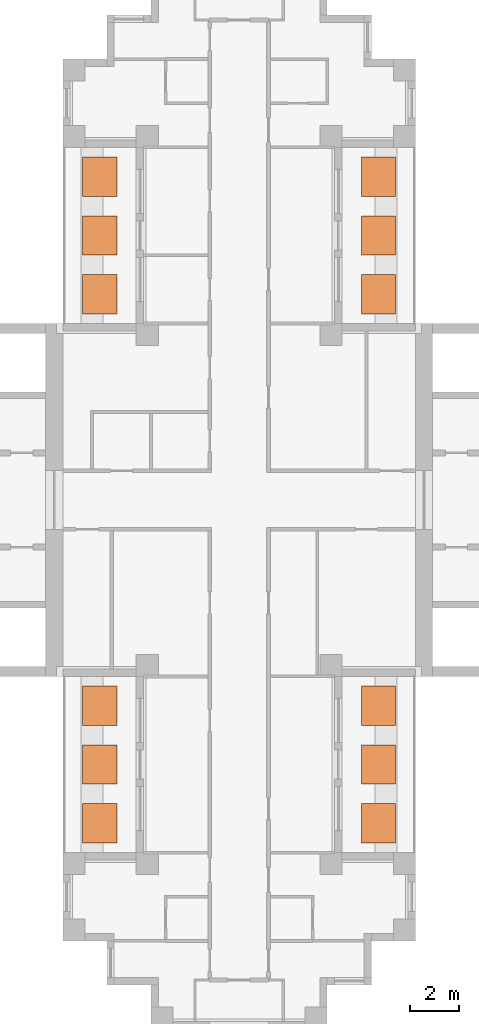
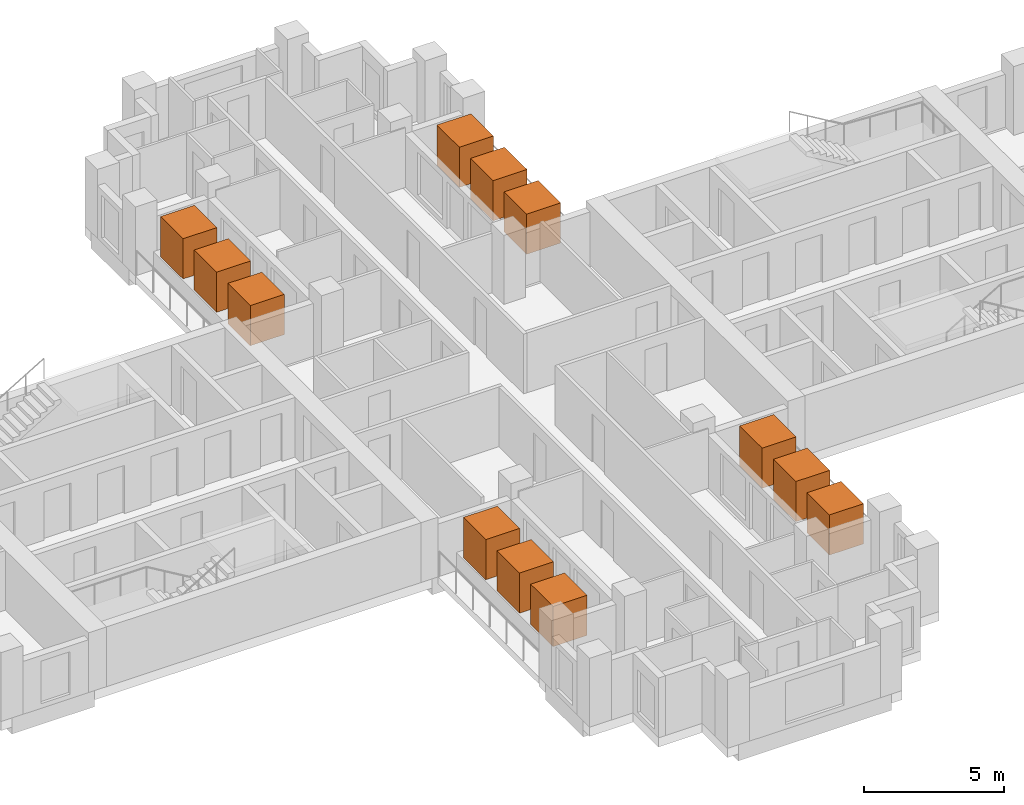
# One storey, part 10 of 10: 12 geographic elements.
"""IFC4 building model written with IfcOpenShell, lengths in metres."""

import ifcopenshell
import ifcopenshell.guid

model = None  # the IFC model being written
_history = None  # IfcOwnerHistory: only IFC2X3 demands one
_inside = {}  # id of a spatial element -> (the spatial element, [elements in it])
_under = {}  # id of a project, library or spatial element -> (it, [spatial elements below it])
_declared = {}  # id of a project -> (the project, [libraries it declares])
_typed = {}  # id of a type object -> (the type object, [elements of that type])
_made_of = {}  # id of a material, layer set ... -> (it, [elements and type objects made of it])


def new_model(schema):
    """Start an empty IFC model of exactly this schema.

    Asked for "IFC4X3", IfcOpenShell would pick the latest addendum, in which some entities
    have other attributes; the version numbers below select the first issue.
    IFC2X3 requires an IfcOwnerHistory on every rooted entity: one is made here for all.
    """
    global model, _history
    if schema == "IFC4X3":
        model = ifcopenshell.file(schema_version=(4, 3, 0, 0))
    else:
        model = ifcopenshell.file(schema=schema)
    _inside.clear()
    _under.clear()
    _declared.clear()
    _typed.clear()
    _made_of.clear()
    _history = None
    if model.schema == "IFC2X3":
        org = make("IfcOrganization", Name="unknown")
        user = make(
            "IfcPersonAndOrganization",
            ThePerson=make("IfcPerson", FamilyName="unknown"),
            TheOrganization=org,
        )
        app = make(
            "IfcApplication",
            ApplicationDeveloper=org,
            Version="unknown",
            ApplicationFullName="unknown",
            ApplicationIdentifier="unknown",
        )
        _history = make(
            "IfcOwnerHistory",
            OwningUser=user,
            OwningApplication=app,
            ChangeAction="ADDED",
            CreationDate=0,
        )
    return model


def make(cls, **values):
    """One entity of the class cls with the attributes given. An attribute that is None is left unset."""
    return model.create_entity(
        cls, **{name: value for name, value in values.items() if value is not None}
    )


def rooted(cls, **values):
    """An entity with a GlobalId (a new one), such as an element, a storey or a relation."""
    return make(cls, GlobalId=ifcopenshell.guid.new(), OwnerHistory=_history, **values)


def si_unit(unit_type, name, prefix=None):
    """IfcSIUnit, for example si_unit("LENGTHUNIT", "METRE", prefix="MILLI")."""
    return make("IfcSIUnit", UnitType=unit_type, Prefix=prefix, Name=name)


def assignment(units):
    """IfcUnitAssignment: the units of a project."""
    return None if units is None else make("IfcUnitAssignment", Units=units)


def point(xyz):
    """IfcCartesianPoint."""
    return None if xyz is None else make("IfcCartesianPoint", Coordinates=xyz)


def direction(xyz):
    """IfcDirection."""
    return None if xyz is None else make("IfcDirection", DirectionRatios=xyz)


def frame(location, z_axis=None, x_axis=None):
    """IfcAxis2Placement3D, a coordinate frame: its origin and axes. An axis left out is left unset."""
    return make(
        "IfcAxis2Placement3D",
        Location=point(location),
        Axis=direction(z_axis),
        RefDirection=direction(x_axis),
    )


def frame_2d(location, x_axis=None):
    """IfcAxis2Placement2D, a coordinate frame in the plane: its origin and x axis."""
    return make(
        "IfcAxis2Placement2D", Location=point(location), RefDirection=direction(x_axis)
    )


def origin():
    """The frame at (0, 0, 0) with its axes left unset."""
    return frame((0.0, 0.0, 0.0))


def origin_2d():
    """The frame at (0, 0) in the plane with its x axis left unset."""
    return frame_2d((0.0, 0.0))


def place(relative_to, where):
    """IfcLocalPlacement: puts the frame where relative to a parent placement (None: the world)."""
    return make(
        "IfcLocalPlacement", PlacementRelTo=relative_to, RelativePlacement=where
    )


def context(
    kind, dimensions, precision=None, world=None, true_north=None, identifier=None
):
    """IfcGeometricRepresentationContext, for example the 3D "Model" context."""
    return make(
        "IfcGeometricRepresentationContext",
        ContextIdentifier=identifier,
        ContextType=kind,
        CoordinateSpaceDimension=dimensions,
        Precision=precision,
        WorldCoordinateSystem=world,
        TrueNorth=true_north,
    )


def subcontext(parent, identifier, kind, view, scale=None):
    """IfcGeometricRepresentationSubContext, for example "Body" below "Model"."""
    return make(
        "IfcGeometricRepresentationSubContext",
        ContextIdentifier=identifier,
        ContextType=kind,
        ParentContext=parent,
        TargetScale=scale,
        TargetView=view,
    )


def project(units=None, contexts=None):
    """IfcProject with its units and contexts."""
    return rooted(
        "IfcProject",
        Name="project",
        RepresentationContexts=contexts,
        UnitsInContext=assignment(units),
    )


def spatial(cls, under=None, at=None, **own):
    """A site, building, storey or space (cls), placed at a placement, below another one or the project."""
    s = rooted(cls, ObjectPlacement=at, **own)
    if under is not None:
        _under.setdefault(under.id(), (under, []))[1].append(s)
    return s


def profile(cls, at=None, kind="AREA", **sizes):
    """A parametric profile (cls). Its sizes go by their IFC names, for example OverallWidth=200.0."""
    return make(cls, ProfileType=kind, Position=at, **sizes)


def rectangle(**sizes):
    """IfcRectangleProfileDef."""
    return profile("IfcRectangleProfileDef", **sizes)


def extrude(swept, where, along, depth):
    """IfcExtrudedAreaSolid: the profile swept, set in the frame where, extruded along a direction by depth."""
    return make(
        "IfcExtrudedAreaSolid",
        SweptArea=swept,
        Position=where,
        ExtrudedDirection=direction(along),
        Depth=depth,
    )


def shape(context_of_items, identifier, shape_type, items):
    """IfcShapeRepresentation: the items that make up one representation, for example the "Body"."""
    return make(
        "IfcShapeRepresentation",
        ContextOfItems=context_of_items,
        RepresentationIdentifier=identifier,
        RepresentationType=shape_type,
        Items=items,
    )


def material(Name=None, Category=None):
    """IfcMaterial."""
    return make("IfcMaterial", Name=Name, Category=Category)


def made_of(thing, what):
    """Note that an element or type object is made of a material, layer set ...; save() writes the relation."""
    if what is not None:
        _made_of.setdefault(what.id(), (what, []))[1].append(thing)
    return thing


def element(
    cls,
    number,
    at=None,
    inside=None,
    cuts=None,
    type_object=None,
    material=None,
    context=None,
    identifier="Body",
    shape_type=None,
    held_by="IfcProductDefinitionShape",
    body=None,
    shapes=None,
    **own,
):
    """One element of the class cls, such as IfcWall. Its Tag is "e" and its number.

    at: its placement. inside: the storey or other place that contains it. cuts: it is an
    opening in that element (IfcRelVoidsElement). A single representation is given by context,
    identifier, shape_type and body (its items); several are given by shapes. held_by: the class
    of the entity that holds the representations. save() writes the other relations.
    """
    e = rooted(cls, Tag="e%d" % number, ObjectPlacement=at, **own)
    if body is not None:
        shapes = [shape(context, identifier, shape_type, body)]
    if shapes is not None:
        e.Representation = make(held_by, Representations=shapes)
    if inside is not None:
        _inside.setdefault(inside.id(), (inside, []))[1].append(e)
    if cuts is not None:
        rooted(
            "IfcRelVoidsElement", RelatingBuildingElement=cuts, RelatedOpeningElement=e
        )
    if type_object is not None:
        _typed.setdefault(type_object.id(), (type_object, []))[1].append(e)
    return made_of(e, material)


def aggregate(whole, parts):
    """IfcRelAggregates: a whole, such as a stair, and the parts it consists of."""
    return rooted("IfcRelAggregates", RelatingObject=whole, RelatedObjects=parts)


def save(model, path):
    """Write the relations noted so far, then the file.

    IfcRelAggregates (storeys below a building ...), IfcRelContainedInSpatialStructure (elements
    in a storey), IfcRelDefinesByType, IfcRelAssociatesMaterial and IfcRelDeclares: one each for
    every whole, place, type object, material and project.
    """
    for whole, parts in _under.values():
        aggregate(whole, parts)
    for where, things in _inside.values():
        rooted(
            "IfcRelContainedInSpatialStructure",
            RelatedElements=things,
            RelatingStructure=where,
        )
    for kind, things in _typed.values():
        rooted("IfcRelDefinesByType", RelatedObjects=things, RelatingType=kind)
    for what, things in _made_of.values():
        rooted("IfcRelAssociatesMaterial", RelatedObjects=things, RelatingMaterial=what)
    for by, libraries in _declared.values():
        rooted("IfcRelDeclares", RelatingContext=by, RelatedDefinitions=libraries)
    model.write(path)


model = new_model("IFC4")

# Units and contexts
model_context = context("Model", 3, precision=1e-05, world=origin(), true_north=direction((0.0, 1.0)))
body_context = subcontext(model_context, "Body", "Model", "MODEL_VIEW")
ifc_project = project(units=[si_unit("LENGTHUNIT", "METRE"), si_unit("AREAUNIT", "SQUARE_METRE"), si_unit("VOLUMEUNIT", "CUBIC_METRE"), si_unit("PLANEANGLEUNIT", "RADIAN"), si_unit("MASSUNIT", "GRAM", prefix="KILO")], contexts=[model_context])

# Site, building, storey
site_placement = place(None, origin())
site = spatial("IfcSite", under=ifc_project, at=site_placement, CompositionType="ELEMENT")
building_placement = place(site_placement, origin())
building = spatial("IfcBuilding", under=site, at=building_placement, Name="Fustian Cross Tower", CompositionType="ELEMENT")
storey_placement = place(building_placement, frame((0.0, 0.0, 228.89990234375)))
storey = spatial("IfcBuildingStorey", under=building, at=storey_placement, Name="L72", CompositionType="ELEMENT", Elevation=228.89990234375)

# Geographic elements
ifc_material = material(Name="Evergreen foliage")
for number, where, z_axis, x_axis, name in (
    (1, (5.68994140625, 8.39990234375, 0.800048828125), (0.0, 0.0, 1.0), (1.0, 0.0, 0.0), "TREE field maple"),
    (2, (5.68994140625, 10.800048828125, 0.800048828125), (0.0, 0.0, 1.0), (1.0, 0.0, 0.0), "TREE field maple"),
    (3, (5.68994140625, 13.199951171875, 0.800048828125), (0.0, 0.0, 1.0), (1.0, 0.0, 0.0), "TREE field maple"),
    (4, (-5.68994140625, 8.39990234375, 0.800048828125), (0.0, 0.0, 1.0), (1.0, 0.0, 0.0), "TREE field maple"),
    (5, (-5.68994140625, 10.800048828125, 0.800048828125), (0.0, 0.0, 1.0), (1.0, 0.0, 0.0), "TREE field maple"),
    (6, (-5.68994140625, 13.199951171875, 0.800048828125), (0.0, 0.0, 1.0), (1.0, 0.0, 0.0), "TREE field maple"),
    (7, (5.68994140625, -13.199951171875, 0.800048828125), (0.0, 0.0, 1.0), (1.0, 0.0, 0.0), "TREE field maple"),
    (8, (5.68994140625, -10.800048828125, 0.800048828125), (0.0, 0.0, 1.0), (1.0, 0.0, 0.0), "TREE field maple"),
    (9, (5.68994140625, -8.39990234375, 0.800048828125), (0.0, 0.0, 1.0), (1.0, 0.0, 0.0), "TREE field maple"),
    (10, (-5.68994140625, -13.199951171875, 0.800048828125), (0.0, 0.0, 1.0), (1.0, 0.0, 0.0), "TREE field maple"),
    (11, (-5.68994140625, -10.800048828125, 0.800048828125), (0.0, 0.0, 1.0), (1.0, 0.0, 0.0), "TREE field maple"),
    (12, (-5.68994140625, -8.39990234375, 0.800048828125), (0.0, 0.0, 1.0), (1.0, 0.0, 0.0), "TREE field maple"),
):
    element("IfcGeographicElement", number, at=place(storey_placement, frame(where, z_axis=z_axis, x_axis=x_axis)), inside=storey, material=ifc_material, Name=name, ObjectType="VEGETATION", PredefinedType="USERDEFINED", context=body_context, shape_type="SweptSolid", body=[
        extrude(rectangle(XDim=1.39990234375, YDim=1.60009765625, at=origin_2d()), origin(), (0.0, 0.0, 1.0), 1.75),
    ])

save(model, "model.ifc")
